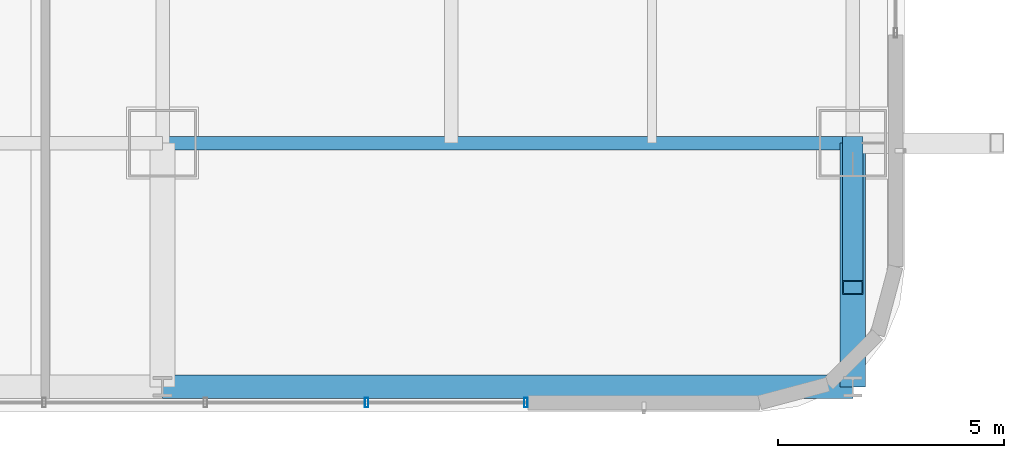
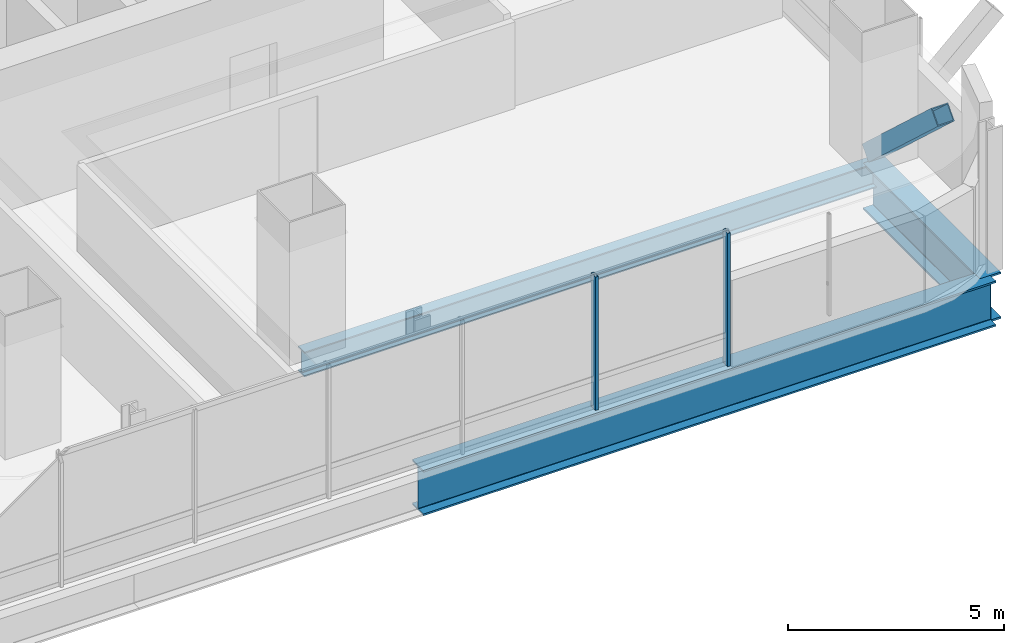
# One storey, part 12 of 45: 3 beams, 3 members, 1 element without a shape of its own.
"""IFC4 building model written with IfcOpenShell, lengths in metres."""

from ifc_helpers import new_model, si_unit, direction, frame, origin, origin_2d, place, context, subcontext, project, spatial, hollow_rectangle, i_section, extrude, material, material_profile, profile_set, type_object, element, aggregate, save


model = new_model("IFC4")

# Units and contexts
model_context = context("Model", 3, precision=1e-05, world=origin(), true_north=direction((0.0, 1.0)))
body_context = subcontext(model_context, "Body", "Model", "MODEL_VIEW")
ifc_project = project(units=[si_unit("LENGTHUNIT", "METRE"), si_unit("AREAUNIT", "SQUARE_METRE"), si_unit("VOLUMEUNIT", "CUBIC_METRE"), si_unit("PLANEANGLEUNIT", "RADIAN"), si_unit("MASSUNIT", "GRAM", prefix="KILO")], contexts=[model_context])

# Site, building, storey
site_placement = place(None, origin())
site = spatial("IfcSite", under=ifc_project, at=site_placement, CompositionType="ELEMENT")
building_placement = place(site_placement, origin())
building = spatial("IfcBuilding", under=site, at=building_placement, Name="Punatoya Terracotta Tower", CompositionType="ELEMENT")
storey_placement = place(building_placement, frame((0.0, 0.0, 56.550048828125)))
storey = spatial("IfcBuildingStorey", under=building, at=storey_placement, Name="L12", CompositionType="ELEMENT", Elevation=56.550048828125)

# Beams
ifc_material_1 = material(Name="Steel S355", Category="steel")
ifc_material_profile_1 = material_profile(ifc_material_1, i_section(OverallWidth=0.300048828125, OverallDepth=0.699951171875, WebThickness=0.01708984375, FlangeThickness=0.031982421875, FilletRadius=0.01806640625, at=origin_2d()))
ifc_profile_set_1 = profile_set([ifc_material_profile_1], Name="Steel S355")
beam_type_1 = type_object("IfcBeamType", Name="BM-PRI-700", PredefinedType="BEAM", material=ifc_profile_set_1)
beam_1_placement = place(storey_placement, frame((3.800048828125, -17.5, -0.590087890625), z_axis=(1.0, 0.0, 0.0), x_axis=(0.0, 1.0, 0.0)))
element("IfcBeam", 1, at=beam_1_placement, inside=storey, type_object=beam_type_1, Name="BM-L12-RG-S3", PredefinedType="BEAM", context=body_context, shape_type="SweptSolid", body=[
    extrude(i_section(OverallWidth=0.300048828125, OverallDepth=0.699951171875, WebThickness=0.01708984375, FlangeThickness=0.031982421875, FilletRadius=0.01806640625, at=origin_2d()), origin(), (0.0, 0.0, 1.0), 15.300048828125),
])
ifc_material_2 = material(Name="Steel S460", Category="steel")
ifc_material_profile_2 = material_profile(ifc_material_2, i_section(OverallWidth=0.56005859375, OverallDepth=1.320068359375, WebThickness=0.035888671875, FlangeThickness=0.054931640625, FilletRadius=0.01806640625, at=origin_2d()))
ifc_profile_set_2 = profile_set([ifc_material_profile_2], Name="Steel S460")
beam_type_2 = type_object("IfcBeamType", Name="BM-TG-BLK", PredefinedType="BEAM", material=ifc_profile_set_2)
beam_2_placement = place(storey_placement, frame((19.10009765625, -22.89990234375, -0.900146484375), z_axis=(0.0, 1.0, 0.0), x_axis=(-1.0, 0.0, 0.0)))
element("IfcBeam", 2, at=beam_2_placement, inside=storey, type_object=beam_type_2, Name="BM-L12-CANT-S4", PredefinedType="BEAM", context=body_context, shape_type="SweptSolid", body=[
    extrude(i_section(OverallWidth=0.56005859375, OverallDepth=1.320068359375, WebThickness=0.035888671875, FlangeThickness=0.054931640625, FilletRadius=0.01806640625, at=origin_2d()), origin(), (0.0, 0.0, 1.0), 5.39990234375),
])
ifc_material_profile_3 = material_profile(ifc_material_2, i_section(OverallWidth=0.52001953125, OverallDepth=1.280029296875, WebThickness=0.031982421875, FlangeThickness=0.050048828125, FilletRadius=0.01806640625, at=origin_2d()))
ifc_profile_set_3 = profile_set([ifc_material_profile_3], Name="Steel S460")
beam_type_3 = type_object("IfcBeamType", Name="BM-TG-NCK", PredefinedType="BEAM", material=ifc_profile_set_3)
beam_3_placement = place(storey_placement, frame((3.800048828125, -22.89990234375, -0.880126953125), z_axis=(1.0, 0.0, 0.0), x_axis=(0.0, 1.0, 0.0)))
element("IfcBeam", 3, at=beam_3_placement, inside=storey, type_object=beam_type_3, Name="BM-L12-PER-S3", PredefinedType="BEAM", context=body_context, shape_type="SweptSolid", body=[
    extrude(i_section(OverallWidth=0.52001953125, OverallDepth=1.280029296875, WebThickness=0.031982421875, FlangeThickness=0.050048828125, FilletRadius=0.01806640625, at=origin_2d()), origin(), (0.0, 0.0, 1.0), 15.300048828125),
])

# Curtain wall, members
ifc_material_3 = material(Name="Aluminium 6063-T6 + Double Low-E Glass", Category="aluminium")
curtain_wall_type = type_object("IfcCurtainWallType", Name="CW-M1", PredefinedType="NOTDEFINED", material=ifc_material_3)
curtain_wall_placement = place(storey_placement, origin())
curtain_wall = element("IfcCurtainWall", 4, at=curtain_wall_placement, inside=storey, type_object=curtain_wall_type, Name="L12 Curtain Wall CW-L12-S01-1", PredefinedType="NOTDEFINED")
ifc_material_4 = material(Name="Aluminium 6063-T6", Category="aluminium")
ifc_material_profile_4 = material_profile(ifc_material_4, hollow_rectangle(XDim=0.074951171875, YDim=0.2099609375, WallThickness=0.00439453125, at=origin_2d()))
ifc_profile_set_4 = profile_set([ifc_material_profile_4], Name="Aluminium 6063-T6")
member_type_1 = type_object("IfcMemberType", Name="CW-MUL-M1", PredefinedType="MULLION", material=ifc_profile_set_4)
member_1_placement = place(storey_placement, frame((8.324951171875, -23.25, 0.0), z_axis=(0.0, 0.0, 1.0), x_axis=(1.0, 0.0, 0.0)))
member_1 = element("IfcMember", 5, at=member_1_placement, type_object=member_type_1, Name="CW-L12-S01-1 Mullion 07", PredefinedType="MULLION", context=body_context, shape_type="SweptSolid", body=[
    extrude(hollow_rectangle(XDim=0.074951171875, YDim=0.2099609375, WallThickness=0.00439453125, at=origin_2d()), origin(), (0.0, 0.0, 1.0), 3.77001953125),
])
member_2_placement = place(storey_placement, frame((11.85498046875, -23.25, 0.0), z_axis=(0.0, 0.0, 1.0), x_axis=(1.0, 0.0, 0.0)))
member_2 = element("IfcMember", 6, at=member_2_placement, type_object=member_type_1, Name="CW-L12-S01-1 Mullion 08", PredefinedType="MULLION", context=body_context, shape_type="SweptSolid", body=[
    extrude(hollow_rectangle(XDim=0.074951171875, YDim=0.2099609375, WallThickness=0.00439453125, at=origin_2d()), origin(), (0.0, 0.0, 1.0), 3.77001953125),
])
aggregate(curtain_wall, [member_1, member_2])

# Member
ifc_material_profile_5 = material_profile(ifc_material_2, hollow_rectangle(XDim=0.449951171875, YDim=0.449951171875, WallThickness=0.02490234375, at=origin_2d()))
ifc_profile_set_5 = profile_set([ifc_material_profile_5], Name="Steel S460")
member_type_2 = type_object("IfcMemberType", Name="MEM-STR-450", PredefinedType="STRUT", material=ifc_profile_set_5)
member_3_placement = place(storey_placement, frame((19.10009765625, -17.5, 0.02001953125), z_axis=(0.0, -0.735244168043, 0.677802340922), x_axis=(1.0, 0.0, 0.0)))
element("IfcMember", 7, at=member_3_placement, inside=storey, type_object=member_type_2, Name="L13 Cantilever Raking Knee-Strut S2", PredefinedType="STRUT", context=body_context, shape_type="SweptSolid", body=[
    extrude(hollow_rectangle(XDim=0.449951171875, YDim=0.449951171875, WallThickness=0.02490234375, at=origin_2d()), origin(), (0.0, 0.0, 1.0), 4.352294921875),
])

save(model, "model.ifc")
